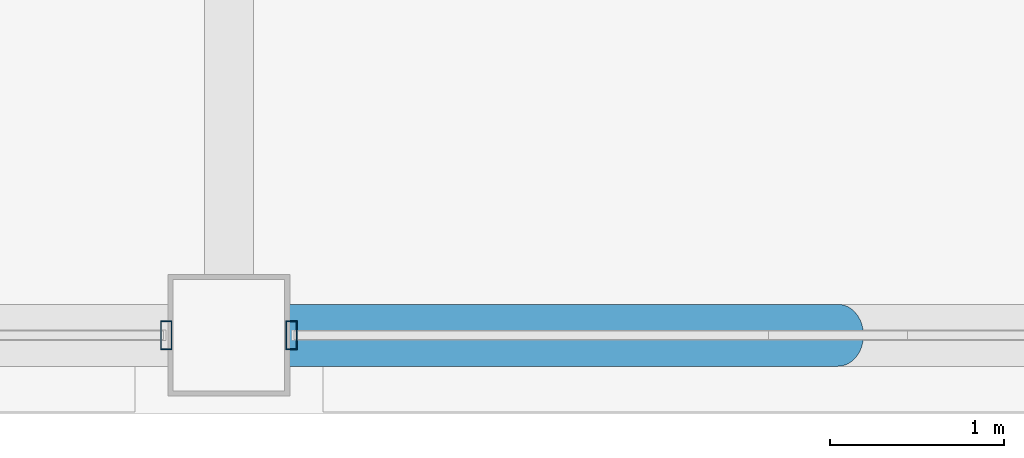
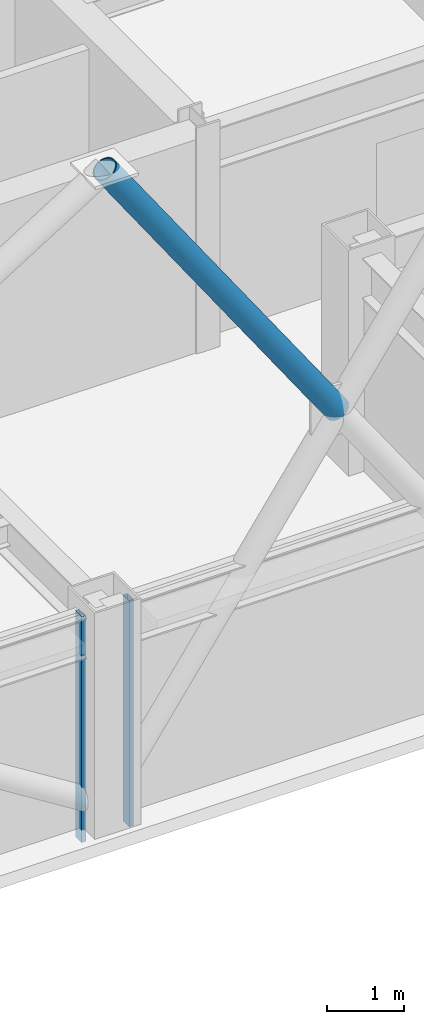
# One storey, part 8 of 33: 3 members, 2 elements without a shape of their own.
"""IFC4 building model written with IfcOpenShell, lengths in metres."""

import ifcopenshell
import ifcopenshell.guid

model = None  # the IFC model being written
_history = None  # IfcOwnerHistory: only IFC2X3 demands one
_inside = {}  # id of a spatial element -> (the spatial element, [elements in it])
_under = {}  # id of a project, library or spatial element -> (it, [spatial elements below it])
_declared = {}  # id of a project -> (the project, [libraries it declares])
_typed = {}  # id of a type object -> (the type object, [elements of that type])
_made_of = {}  # id of a material, layer set ... -> (it, [elements and type objects made of it])


def new_model(schema):
    """Start an empty IFC model of exactly this schema.

    Asked for "IFC4X3", IfcOpenShell would pick the latest addendum, in which some entities
    have other attributes; the version numbers below select the first issue.
    IFC2X3 requires an IfcOwnerHistory on every rooted entity: one is made here for all.
    """
    global model, _history
    if schema == "IFC4X3":
        model = ifcopenshell.file(schema_version=(4, 3, 0, 0))
    else:
        model = ifcopenshell.file(schema=schema)
    _inside.clear()
    _under.clear()
    _declared.clear()
    _typed.clear()
    _made_of.clear()
    _history = None
    if model.schema == "IFC2X3":
        org = make("IfcOrganization", Name="unknown")
        user = make(
            "IfcPersonAndOrganization",
            ThePerson=make("IfcPerson", FamilyName="unknown"),
            TheOrganization=org,
        )
        app = make(
            "IfcApplication",
            ApplicationDeveloper=org,
            Version="unknown",
            ApplicationFullName="unknown",
            ApplicationIdentifier="unknown",
        )
        _history = make(
            "IfcOwnerHistory",
            OwningUser=user,
            OwningApplication=app,
            ChangeAction="ADDED",
            CreationDate=0,
        )
    return model


def make(cls, **values):
    """One entity of the class cls with the attributes given. An attribute that is None is left unset."""
    return model.create_entity(
        cls, **{name: value for name, value in values.items() if value is not None}
    )


def rooted(cls, **values):
    """An entity with a GlobalId (a new one), such as an element, a storey or a relation."""
    return make(cls, GlobalId=ifcopenshell.guid.new(), OwnerHistory=_history, **values)


def si_unit(unit_type, name, prefix=None):
    """IfcSIUnit, for example si_unit("LENGTHUNIT", "METRE", prefix="MILLI")."""
    return make("IfcSIUnit", UnitType=unit_type, Prefix=prefix, Name=name)


def assignment(units):
    """IfcUnitAssignment: the units of a project."""
    return None if units is None else make("IfcUnitAssignment", Units=units)


def point(xyz):
    """IfcCartesianPoint."""
    return None if xyz is None else make("IfcCartesianPoint", Coordinates=xyz)


def direction(xyz):
    """IfcDirection."""
    return None if xyz is None else make("IfcDirection", DirectionRatios=xyz)


def frame(location, z_axis=None, x_axis=None):
    """IfcAxis2Placement3D, a coordinate frame: its origin and axes. An axis left out is left unset."""
    return make(
        "IfcAxis2Placement3D",
        Location=point(location),
        Axis=direction(z_axis),
        RefDirection=direction(x_axis),
    )


def frame_2d(location, x_axis=None):
    """IfcAxis2Placement2D, a coordinate frame in the plane: its origin and x axis."""
    return make(
        "IfcAxis2Placement2D", Location=point(location), RefDirection=direction(x_axis)
    )


def origin():
    """The frame at (0, 0, 0) with its axes left unset."""
    return frame((0.0, 0.0, 0.0))


def origin_2d():
    """The frame at (0, 0) in the plane with its x axis left unset."""
    return frame_2d((0.0, 0.0))


def place(relative_to, where):
    """IfcLocalPlacement: puts the frame where relative to a parent placement (None: the world)."""
    return make(
        "IfcLocalPlacement", PlacementRelTo=relative_to, RelativePlacement=where
    )


def context(
    kind, dimensions, precision=None, world=None, true_north=None, identifier=None
):
    """IfcGeometricRepresentationContext, for example the 3D "Model" context."""
    return make(
        "IfcGeometricRepresentationContext",
        ContextIdentifier=identifier,
        ContextType=kind,
        CoordinateSpaceDimension=dimensions,
        Precision=precision,
        WorldCoordinateSystem=world,
        TrueNorth=true_north,
    )


def subcontext(parent, identifier, kind, view, scale=None):
    """IfcGeometricRepresentationSubContext, for example "Body" below "Model"."""
    return make(
        "IfcGeometricRepresentationSubContext",
        ContextIdentifier=identifier,
        ContextType=kind,
        ParentContext=parent,
        TargetScale=scale,
        TargetView=view,
    )


def project(units=None, contexts=None):
    """IfcProject with its units and contexts."""
    return rooted(
        "IfcProject",
        Name="project",
        RepresentationContexts=contexts,
        UnitsInContext=assignment(units),
    )


def spatial(cls, under=None, at=None, **own):
    """A site, building, storey or space (cls), placed at a placement, below another one or the project."""
    s = rooted(cls, ObjectPlacement=at, **own)
    if under is not None:
        _under.setdefault(under.id(), (under, []))[1].append(s)
    return s


def profile(cls, at=None, kind="AREA", **sizes):
    """A parametric profile (cls). Its sizes go by their IFC names, for example OverallWidth=200.0."""
    return make(cls, ProfileType=kind, Position=at, **sizes)


def hollow_rectangle(**sizes):
    """IfcRectangleHollowProfileDef."""
    return profile("IfcRectangleHollowProfileDef", **sizes)


def hollow_circle(**sizes):
    """IfcCircleHollowProfileDef."""
    return profile("IfcCircleHollowProfileDef", **sizes)


def extrude(swept, where, along, depth):
    """IfcExtrudedAreaSolid: the profile swept, set in the frame where, extruded along a direction by depth."""
    return make(
        "IfcExtrudedAreaSolid",
        SweptArea=swept,
        Position=where,
        ExtrudedDirection=direction(along),
        Depth=depth,
    )


def shape(context_of_items, identifier, shape_type, items):
    """IfcShapeRepresentation: the items that make up one representation, for example the "Body"."""
    return make(
        "IfcShapeRepresentation",
        ContextOfItems=context_of_items,
        RepresentationIdentifier=identifier,
        RepresentationType=shape_type,
        Items=items,
    )


def material(Name=None, Category=None):
    """IfcMaterial."""
    return make("IfcMaterial", Name=Name, Category=Category)


def layer(
    of_material, thickness, ventilated=None, Name=None, Category=None, Priority=None
):
    """IfcMaterialLayer: one layer of a wall or slab, of a material (None: an air gap)."""
    return make(
        "IfcMaterialLayer",
        Material=of_material,
        LayerThickness=thickness,
        IsVentilated=ventilated,
        Name=Name,
        Category=Category,
        Priority=Priority,
    )


def layer_set(layers, Name=None):
    """IfcMaterialLayerSet."""
    return make("IfcMaterialLayerSet", MaterialLayers=layers, LayerSetName=Name)


def material_profile(
    of_material, cross_section, Name=None, Category=None, Priority=None
):
    """IfcMaterialProfile: a cross section and its material."""
    return make(
        "IfcMaterialProfile",
        Name=Name,
        Material=of_material,
        Profile=cross_section,
        Priority=Priority,
        Category=Category,
    )


def profile_set(profiles, Name=None, composite=None):
    """IfcMaterialProfileSet."""
    return make(
        "IfcMaterialProfileSet",
        Name=Name,
        MaterialProfiles=profiles,
        CompositeProfile=composite,
    )


def made_of(thing, what):
    """Note that an element or type object is made of a material, layer set ...; save() writes the relation."""
    if what is not None:
        _made_of.setdefault(what.id(), (what, []))[1].append(thing)
    return thing


def type_object(cls, material=None, **own):
    """A type object (cls), such as IfcWallType, which elements share."""
    return made_of(rooted(cls, **own), material)


def element(
    cls,
    number,
    at=None,
    inside=None,
    cuts=None,
    type_object=None,
    material=None,
    context=None,
    identifier="Body",
    shape_type=None,
    held_by="IfcProductDefinitionShape",
    body=None,
    shapes=None,
    **own,
):
    """One element of the class cls, such as IfcWall. Its Tag is "e" and its number.

    at: its placement. inside: the storey or other place that contains it. cuts: it is an
    opening in that element (IfcRelVoidsElement). A single representation is given by context,
    identifier, shape_type and body (its items); several are given by shapes. held_by: the class
    of the entity that holds the representations. save() writes the other relations.
    """
    e = rooted(cls, Tag="e%d" % number, ObjectPlacement=at, **own)
    if body is not None:
        shapes = [shape(context, identifier, shape_type, body)]
    if shapes is not None:
        e.Representation = make(held_by, Representations=shapes)
    if inside is not None:
        _inside.setdefault(inside.id(), (inside, []))[1].append(e)
    if cuts is not None:
        rooted(
            "IfcRelVoidsElement", RelatingBuildingElement=cuts, RelatedOpeningElement=e
        )
    if type_object is not None:
        _typed.setdefault(type_object.id(), (type_object, []))[1].append(e)
    return made_of(e, material)


def aggregate(whole, parts):
    """IfcRelAggregates: a whole, such as a stair, and the parts it consists of."""
    return rooted("IfcRelAggregates", RelatingObject=whole, RelatedObjects=parts)


def save(model, path):
    """Write the relations noted so far, then the file.

    IfcRelAggregates (storeys below a building ...), IfcRelContainedInSpatialStructure (elements
    in a storey), IfcRelDefinesByType, IfcRelAssociatesMaterial and IfcRelDeclares: one each for
    every whole, place, type object, material and project.
    """
    for whole, parts in _under.values():
        aggregate(whole, parts)
    for where, things in _inside.values():
        rooted(
            "IfcRelContainedInSpatialStructure",
            RelatedElements=things,
            RelatingStructure=where,
        )
    for kind, things in _typed.values():
        rooted("IfcRelDefinesByType", RelatedObjects=things, RelatingType=kind)
    for what, things in _made_of.values():
        rooted("IfcRelAssociatesMaterial", RelatedObjects=things, RelatingMaterial=what)
    for by, libraries in _declared.values():
        rooted("IfcRelDeclares", RelatingContext=by, RelatedDefinitions=libraries)
    model.write(path)


model = new_model("IFC4")

# Units and contexts
model_context = context("Model", 3, precision=1e-05, world=origin(), true_north=direction((0.0, 1.0)))
body_context = subcontext(model_context, "Body", "Model", "MODEL_VIEW")
ifc_project = project(units=[si_unit("LENGTHUNIT", "METRE"), si_unit("AREAUNIT", "SQUARE_METRE"), si_unit("VOLUMEUNIT", "CUBIC_METRE"), si_unit("PLANEANGLEUNIT", "RADIAN"), si_unit("MASSUNIT", "GRAM", prefix="KILO")], contexts=[model_context])

# Site, building, storey
site_placement = place(None, origin())
site = spatial("IfcSite", under=ifc_project, at=site_placement, CompositionType="ELEMENT")
building_placement = place(site_placement, origin())
building = spatial("IfcBuilding", under=site, at=building_placement, Name="Brelmoor Portico Tower", CompositionType="ELEMENT")
storey_placement = place(building_placement, frame((0.0, 0.0, 194.699951171875)))
storey = spatial("IfcBuildingStorey", under=building, at=storey_placement, Name="L51", CompositionType="ELEMENT", Elevation=194.699951171875)

# Member
ifc_material_1 = material(Name="Steel Q355B", Category="steel")
ifc_material_profile_1 = material_profile(ifc_material_1, hollow_circle(Radius=0.177978515625, WallThickness=0.01611328125, at=origin_2d()), Name="CHS 356x16")
ifc_profile_set_1 = profile_set([ifc_material_profile_1], Name="Steel Q355B")
member_type_1 = type_object("IfcMemberType", Name="MB-BELT-DIAG2", PredefinedType="BRACE", material=ifc_profile_set_1)
member_1_placement = place(storey_placement, frame((11.550048828125, -18.550048828125, 5.300048828125), z_axis=(-0.569629338867, 0.0, 0.821901707203), x_axis=(0.0, -1.0, 0.0)))
element("IfcMember", 1, at=member_1_placement, inside=storey, type_object=member_type_1, Name="L51 Split Mega-X Brace 118B2", PredefinedType="BRACE", context=body_context, shape_type="SweptSolid", body=[
    extrude(hollow_circle(Radius=0.177978515625, WallThickness=0.01611328125, at=origin_2d()), origin(), (0.0, 0.0, 1.0), 6.144287109375),
])

# Curtain wall, member
ifc_material_2 = material(Name="Anodised Aluminium Alloy 6063-T6", Category="aluminium")
ifc_layer = layer(ifc_material_2, 0.179931640625)
ifc_layer_set = layer_set([ifc_layer], Name="Anodised Aluminium Alloy 6063-T6")
curtain_wall_type = type_object("IfcCurtainWallType", Name="CW-TOWER-Z3-XB", PredefinedType="NOTDEFINED", material=ifc_layer_set)
curtain_wall_1_placement = place(storey_placement, origin())
curtain_wall_1 = element("IfcCurtainWall", 2, at=curtain_wall_1_placement, inside=storey, type_object=curtain_wall_type, Name="L51 Curtain Wall CW-L51-01-2", PredefinedType="NOTDEFINED")
ifc_material_profile_2 = material_profile(ifc_material_2, hollow_rectangle(XDim=0.06494140625, YDim=0.1650390625, WallThickness=0.00390625, at=origin_2d()), Name="ALU MULLION 65x165")
ifc_profile_set_2 = profile_set([ifc_material_profile_2], Name="Anodised Aluminium Alloy 6063-T6")
member_type_2 = type_object("IfcMemberType", Name="MB-CW-MULL-165", PredefinedType="MULLION", material=ifc_profile_set_2)
member_2_placement = place(storey_placement, frame((7.68994140625, -18.550048828125, -0.199951171875), z_axis=(0.0, 0.0, 1.0), x_axis=(1.0, 0.0, 0.0)))
member_2 = element("IfcMember", 3, at=member_2_placement, type_object=member_type_2, Name="CW-L51-01-2 Mullion 01", PredefinedType="MULLION", context=body_context, shape_type="SweptSolid", body=[
    extrude(hollow_rectangle(XDim=0.06494140625, YDim=0.1650390625, WallThickness=0.00390625, at=origin_2d()), origin(), (0.0, 0.0, 1.0), 3.60009765625),
])
aggregate(curtain_wall_1, [member_2])

curtain_wall_2_placement = place(storey_placement, origin())
curtain_wall_2 = element("IfcCurtainWall", 4, at=curtain_wall_2_placement, inside=storey, type_object=curtain_wall_type, Name="L51 Curtain Wall CW-L51-01-3", PredefinedType="NOTDEFINED")
member_3_placement = place(storey_placement, frame((8.409912109375, -18.550048828125, -0.199951171875), z_axis=(0.0, 0.0, 1.0), x_axis=(1.0, 0.0, 0.0)))
member_3 = element("IfcMember", 5, at=member_3_placement, type_object=member_type_2, Name="CW-L51-01-3 Mullion 00", PredefinedType="MULLION", context=body_context, shape_type="SweptSolid", body=[
    extrude(hollow_rectangle(XDim=0.06494140625, YDim=0.1650390625, WallThickness=0.00390625, at=origin_2d()), origin(), (0.0, 0.0, 1.0), 3.60009765625),
])
aggregate(curtain_wall_2, [member_3])

save(model, "model.ifc")
